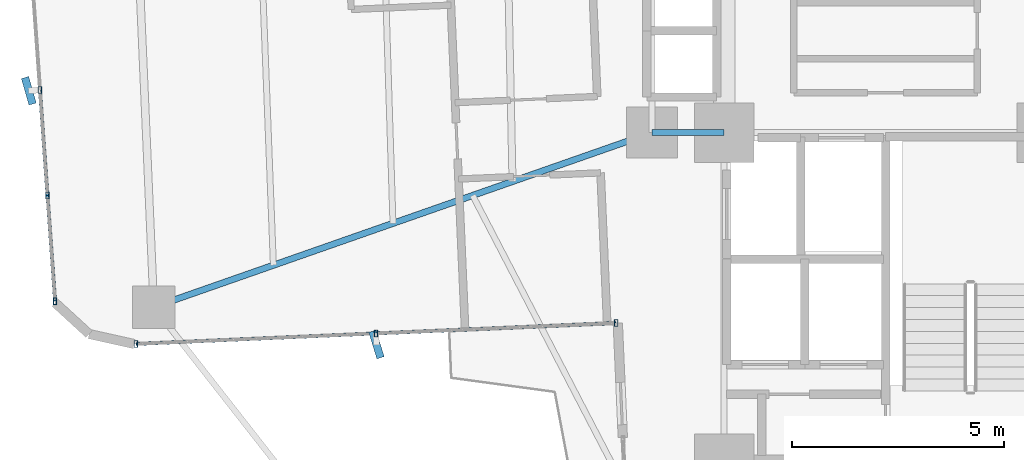
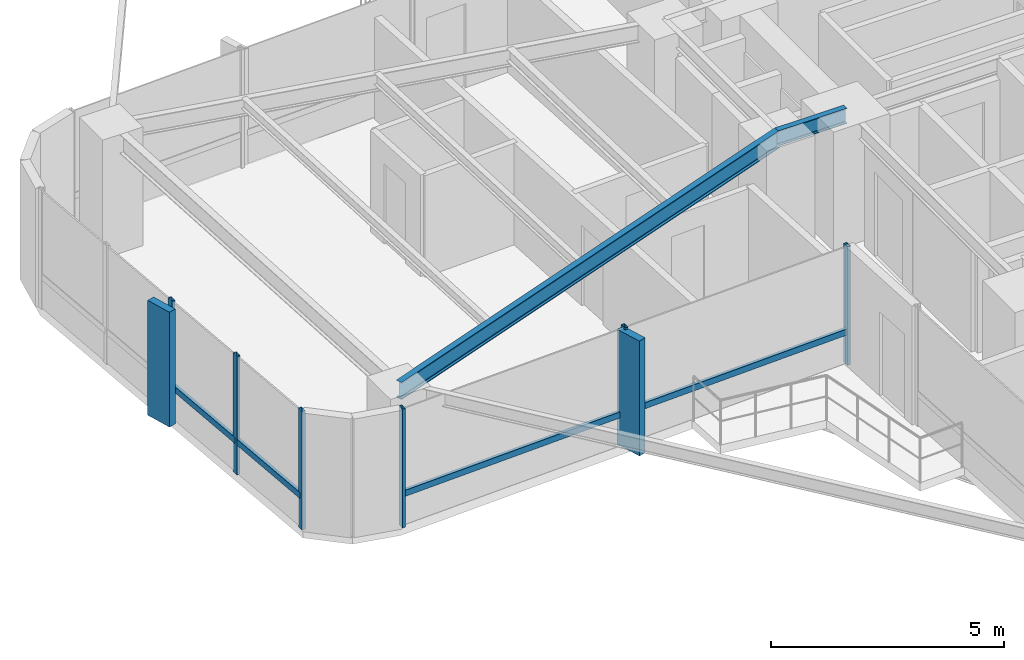
# One storey, part 8 of 26: 12 members, 2 beams, 2 elements without a shape of their own.
"""IFC4 building model written with IfcOpenShell, lengths in metres."""

from ifc_helpers import new_model, si_unit, direction, frame, origin, origin_2d, place, context, subcontext, project, spatial, rectangle, hollow_rectangle, i_section, extrude, source, transform, mapped, material, material_profile, profile_set, type_object, element, aggregate, save


model = new_model("IFC4")

# Units and contexts
model_context = context("Model", 3, precision=1e-05, world=origin(), true_north=direction((0.0, 1.0)))
body_context = subcontext(model_context, "Body", "Model", "MODEL_VIEW")
ifc_project = project(units=[si_unit("LENGTHUNIT", "METRE"), si_unit("AREAUNIT", "SQUARE_METRE"), si_unit("VOLUMEUNIT", "CUBIC_METRE"), si_unit("PLANEANGLEUNIT", "RADIAN"), si_unit("MASSUNIT", "GRAM", prefix="KILO")], contexts=[model_context])

# Site, building, storey
site_placement = place(None, origin())
site = spatial("IfcSite", under=ifc_project, at=site_placement, CompositionType="ELEMENT")
building_placement = place(site_placement, origin())
building = spatial("IfcBuilding", under=site, at=building_placement, Name="Sahyath Konkavel Grand Hotel", CompositionType="ELEMENT")
storey_placement = place(building_placement, frame((0.0, 0.0, 128.199951171875)))
storey = spatial("IfcBuildingStorey", under=building, at=storey_placement, Name="L35", CompositionType="ELEMENT", Elevation=128.199951171875)

# Beams
ifc_material_1 = material(Name="Steel E350", Category="steel")
ifc_material_profile_1 = material_profile(ifc_material_1, i_section(OverallWidth=0.139892578125, OverallDepth=0.39990234375, WebThickness=0.0087890625, FlangeThickness=0.01611328125, FilletRadius=0.013916015625, at=origin_2d()), Name="ISMB 400")
ifc_profile_set_1 = profile_set([ifc_material_profile_1], Name="Steel E350")
beam_type_1 = type_object("IfcBeamType", Name="BM-ISMB400", PredefinedType="BEAM", material=ifc_profile_set_1)
shared_shape_1 = source(origin(), body_context, "Body", "SweptSolid", [
    extrude(i_section(OverallWidth=0.139892578125, OverallDepth=0.39990234375, WebThickness=0.0087890625, FlangeThickness=0.01611328125, FilletRadius=0.013916015625, at=origin_2d()), origin(), (0.0, 0.0, 1.0), 1.699951171875),
])
beam_1_placement = place(storey_placement, frame((-5.5, -2.39990234375, 2.91015625), z_axis=(1.0, 0.0, 0.0), x_axis=(0.0, 1.0, 0.0)))
element("IfcBeam", 1, at=beam_1_placement, inside=storey, type_object=beam_type_1, Name="str:bm:L35:HB-SW", PredefinedType="BEAM", context=body_context, shape_type="MappedRepresentation", body=[
    mapped(shared_shape_1, transform((0.0, 0.0, 0.0), scale=1.0)),
])
ifc_material_profile_2 = material_profile(ifc_material_1, i_section(OverallWidth=0.14990234375, OverallDepth=0.449951171875, WebThickness=0.009521484375, FlangeThickness=0.017333984375, FilletRadius=0.014892578125, at=origin_2d()), Name="ISMB 450")
ifc_profile_set_2 = profile_set([ifc_material_profile_2], Name="Steel E350")
beam_type_2 = type_object("IfcBeamType", Name="BM-ISMB450", PredefinedType="BEAM", material=ifc_profile_set_2)
shared_shape_2 = source(origin(), body_context, "Body", "SweptSolid", [
    extrude(i_section(OverallWidth=0.14990234375, OverallDepth=0.449951171875, WebThickness=0.009521484375, FlangeThickness=0.017333984375, FilletRadius=0.014892578125, at=origin_2d()), origin(), (0.0, 0.0, 1.0), 12.430908203125),
])
beam_2_placement = place(storey_placement, frame((-5.5, -2.39990234375, 2.885009765625), z_axis=(-0.943819157235, -0.330462400941, 0.0), x_axis=(0.330462400941, -0.943819157235, 0.0)))
element("IfcBeam", 2, at=beam_2_placement, inside=storey, type_object=beam_type_2, Name="L35 Cruciform Radial Girder WB", PredefinedType="BEAM", context=body_context, shape_type="MappedRepresentation", body=[
    mapped(shared_shape_2, transform((0.0, 0.0, 0.0), scale=1.0)),
])

# Curtain wall, member
ifc_material_2 = material(Name="Anodised Bronze Aluminium & Low-E Glazing", Category="aluminium")
curtain_wall_type = type_object("IfcCurtainWallType", Name="CW-ZONE2", PredefinedType="NOTDEFINED", material=ifc_material_2)
curtain_wall_1_placement = place(storey_placement, origin())
curtain_wall_1 = element("IfcCurtainWall", 3, at=curtain_wall_1_placement, inside=storey, type_object=curtain_wall_type, Name="L35 Unitised Curtain Wall F20", PredefinedType="NOTDEFINED")
ifc_material_3 = material(Name="Warm Buff Sandstone Cladding on Concrete C50/60", Category="masonry")
ifc_material_profile_3 = material_profile(ifc_material_3, rectangle(XDim=0.179931640625, YDim=0.64990234375, at=origin_2d()), Name="FIN 180x650")
ifc_profile_set_3 = profile_set([ifc_material_profile_3], Name="Warm Buff Sandstone Cladding on Concrete C50/60")
member_type_1 = type_object("IfcMemberType", Name="FIN-SANDSTONE-650", PredefinedType="MULLION", material=ifc_profile_set_3)
shared_shape_3 = source(origin(), body_context, "Body", "SweptSolid", [
    extrude(rectangle(XDim=0.179931640625, YDim=0.64990234375, at=origin_2d()), origin(), (0.0, 0.0, 1.0), 3.010009765625),
])
member_1_placement = place(storey_placement, frame((-20.1767578125, -1.413818359375, 0.050048828125), z_axis=(0.0, 0.0, 1.0), x_axis=(0.961069030524, 0.276308375854, 0.0)))
member_1 = element("IfcMember", 4, at=member_1_placement, type_object=member_type_1, Name="L35 Sandstone Vertical Solar Fin FIN F20-2", PredefinedType="MULLION", context=body_context, shape_type="MappedRepresentation", body=[
    mapped(shared_shape_3, transform((0.0, 0.0, 0.0), scale=1.0)),
])

curtain_wall_2_placement = place(storey_placement, origin())
curtain_wall_2 = element("IfcCurtainWall", 5, at=curtain_wall_2_placement, inside=storey, type_object=curtain_wall_type, Name="L35 Unitised Curtain Wall F23", PredefinedType="NOTDEFINED")
member_2_placement = place(storey_placement, frame((-11.989013671875, -7.39013671875, 0.050048828125), z_axis=(0.0, 0.0, 1.0), x_axis=(0.955690317134, 0.294373942013, 0.0)))
member_2 = element("IfcMember", 6, at=member_2_placement, type_object=member_type_1, Name="L35 Sandstone Vertical Solar Fin FIN F23-1", PredefinedType="MULLION", context=body_context, shape_type="MappedRepresentation", body=[
    mapped(shared_shape_3, transform((0.0, 0.0, 0.0), scale=1.0)),
])

# Member
ifc_material_4 = material(Name="Anodised Bronze Aluminium", Category="aluminium")
ifc_material_profile_4 = material_profile(ifc_material_4, hollow_rectangle(XDim=0.080078125, YDim=0.159912109375, WallThickness=0.006103515625, at=origin_2d()), Name="RHS 160x80x6")
ifc_profile_set_4 = profile_set([ifc_material_profile_4], Name="Anodised Bronze Aluminium")
member_type_2 = type_object("IfcMemberType", Name="CW-MUL-160", PredefinedType="MULLION", material=ifc_profile_set_4)
shared_shape_4 = source(origin(), body_context, "Body", "SweptSolid", [
    extrude(hollow_rectangle(XDim=0.080078125, YDim=0.159912109375, WallThickness=0.006103515625, at=origin_2d()), origin(), (0.0, 0.0, 1.0), 3.110107421875),
])
member_3_placement = place(storey_placement, frame((-19.91748046875, -1.39501953125, 0.0), z_axis=(0.0, 0.0, 1.0), x_axis=(1.0, 0.0, 0.0)))
member_3 = element("IfcMember", 7, at=member_3_placement, type_object=member_type_2, Name="L35 Curtain Wall Mullion F20-2", PredefinedType="MULLION", context=body_context, shape_type="MappedRepresentation", body=[
    mapped(shared_shape_4, transform((0.0, 0.0, 0.0), scale=1.0)),
])

member_4_placement = place(storey_placement, frame((-19.739013671875, -3.882080078125, 0.0), z_axis=(0.0, 0.0, 1.0), x_axis=(1.0, 0.0, 0.0)))
member_4 = element("IfcMember", 8, at=member_4_placement, type_object=member_type_2, Name="L35 Curtain Wall Mullion F20-3", PredefinedType="MULLION", context=body_context, shape_type="MappedRepresentation", body=[
    mapped(shared_shape_4, transform((0.0, 0.0, 0.0), scale=1.0)),
])

member_5_placement = place(storey_placement, frame((-19.560546875, -6.369384765625, 0.0), z_axis=(0.0, 0.0, 1.0), x_axis=(1.0, 0.0, 0.0)))
member_5 = element("IfcMember", 9, at=member_5_placement, type_object=member_type_2, Name="L35 Curtain Wall Mullion F20-4", PredefinedType="MULLION", context=body_context, shape_type="MappedRepresentation", body=[
    mapped(shared_shape_4, transform((0.0, 0.0, 0.0), scale=1.0)),
])

member_6_placement = place(storey_placement, frame((-17.655029296875, -7.377197265625, 0.0), z_axis=(0.0, 0.0, 1.0), x_axis=(1.0, 0.0, 0.0)))
member_6 = element("IfcMember", 10, at=member_6_placement, type_object=member_type_2, Name="L35 Curtain Wall Mullion F23-0", PredefinedType="MULLION", context=body_context, shape_type="MappedRepresentation", body=[
    mapped(shared_shape_4, transform((0.0, 0.0, 0.0), scale=1.0)),
])

member_7_placement = place(storey_placement, frame((-12.00048828125, -7.13037109375, 0.0), z_axis=(0.0, 0.0, 1.0), x_axis=(1.0, 0.0, 0.0)))
member_7 = element("IfcMember", 11, at=member_7_placement, type_object=member_type_2, Name="L35 Curtain Wall Mullion F23-1", PredefinedType="MULLION", context=body_context, shape_type="MappedRepresentation", body=[
    mapped(shared_shape_4, transform((0.0, 0.0, 0.0), scale=1.0)),
])

member_8_placement = place(storey_placement, frame((-6.345703125, -6.88330078125, 0.0), z_axis=(0.0, 0.0, 1.0), x_axis=(1.0, 0.0, 0.0)))
member_8 = element("IfcMember", 12, at=member_8_placement, type_object=member_type_2, Name="L35 Curtain Wall Mullion F23-2", PredefinedType="MULLION", context=body_context, shape_type="MappedRepresentation", body=[
    mapped(shared_shape_4, transform((0.0, 0.0, 0.0), scale=1.0)),
])

ifc_material_profile_5 = material_profile(ifc_material_4, hollow_rectangle(XDim=0.080078125, YDim=0.159912109375, WallThickness=0.006103515625, at=origin_2d()), Name="RHS 160x80x6")
ifc_profile_set_5 = profile_set([ifc_material_profile_5], Name="Anodised Bronze Aluminium")
member_type_3 = type_object("IfcMemberType", Name="CW-TRN-160", PredefinedType="USERDEFINED", material=ifc_profile_set_5)
shared_shape_5 = source(origin(), body_context, "Body", "SweptSolid", [
    extrude(hollow_rectangle(XDim=0.080078125, YDim=0.159912109375, WallThickness=0.006103515625, at=origin_2d()), origin(), (0.0, 0.0, 1.0), 2.493408203125),
])
member_9_placement = place(storey_placement, frame((-19.91748046875, -1.39501953125, 0.85009765625), z_axis=(0.071574084062, -0.997435286367, 0.0), x_axis=(0.997435286367, 0.071574084062, 0.0)))
member_9 = element("IfcMember", 13, at=member_9_placement, type_object=member_type_3, Name="L35 Curtain Wall Transom F20-2-spandrel", ObjectType="TRANSOM", PredefinedType="USERDEFINED", context=body_context, shape_type="MappedRepresentation", body=[
    mapped(shared_shape_5, transform((0.0, 0.0, 0.0), scale=1.0)),
])

shared_shape_6 = source(origin(), body_context, "Body", "SweptSolid", [
    extrude(hollow_rectangle(XDim=0.080078125, YDim=0.159912109375, WallThickness=0.006103515625, at=origin_2d()), origin(), (0.0, 0.0, 1.0), 2.49365234375),
])
member_10_placement = place(storey_placement, frame((-19.739013671875, -3.882080078125, 0.85009765625), z_axis=(0.071567094714, -0.997435787885, 0.0), x_axis=(0.997435787885, 0.071567094714, 0.0)))
member_10 = element("IfcMember", 14, at=member_10_placement, type_object=member_type_3, Name="L35 Curtain Wall Transom F20-3-spandrel", ObjectType="TRANSOM", PredefinedType="USERDEFINED", context=body_context, shape_type="MappedRepresentation", body=[
    mapped(shared_shape_6, transform((0.0, 0.0, 0.0), scale=1.0)),
])

aggregate(curtain_wall_1, [member_3, member_1, member_4, member_5, member_9, member_10])

shared_shape_7 = source(origin(), body_context, "Body", "SweptSolid", [
    extrude(hollow_rectangle(XDim=0.080078125, YDim=0.159912109375, WallThickness=0.006103515625, at=origin_2d()), origin(), (0.0, 0.0, 1.0), 5.659912109375),
])
member_11_placement = place(storey_placement, frame((-17.655029296875, -7.377197265625, 0.85009765625), z_axis=(0.999048655935, 0.043609437898, 0.0), x_axis=(-0.043609437898, 0.999048655935, 0.0)))
member_11 = element("IfcMember", 15, at=member_11_placement, type_object=member_type_3, Name="L35 Curtain Wall Transom F23-0-spandrel", ObjectType="TRANSOM", PredefinedType="USERDEFINED", context=body_context, shape_type="MappedRepresentation", body=[
    mapped(shared_shape_7, transform((0.0, 0.0, 0.0), scale=1.0)),
])

shared_shape_8 = source(origin(), body_context, "Body", "SweptSolid", [
    extrude(hollow_rectangle(XDim=0.080078125, YDim=0.159912109375, WallThickness=0.006103515625, at=origin_2d()), origin(), (0.0, 0.0, 1.0), 5.66015625),
])
member_12_placement = place(storey_placement, frame((-12.00048828125, -7.13037109375, 0.85009765625), z_axis=(0.9990468579, 0.043650609628, 0.0), x_axis=(-0.043650609628, 0.9990468579, 0.0)))
member_12 = element("IfcMember", 16, at=member_12_placement, type_object=member_type_3, Name="L35 Curtain Wall Transom F23-1-spandrel", ObjectType="TRANSOM", PredefinedType="USERDEFINED", context=body_context, shape_type="MappedRepresentation", body=[
    mapped(shared_shape_8, transform((0.0, 0.0, 0.0), scale=1.0)),
])

aggregate(curtain_wall_2, [member_6, member_7, member_2, member_8, member_11, member_12])

save(model, "model.ifc")
